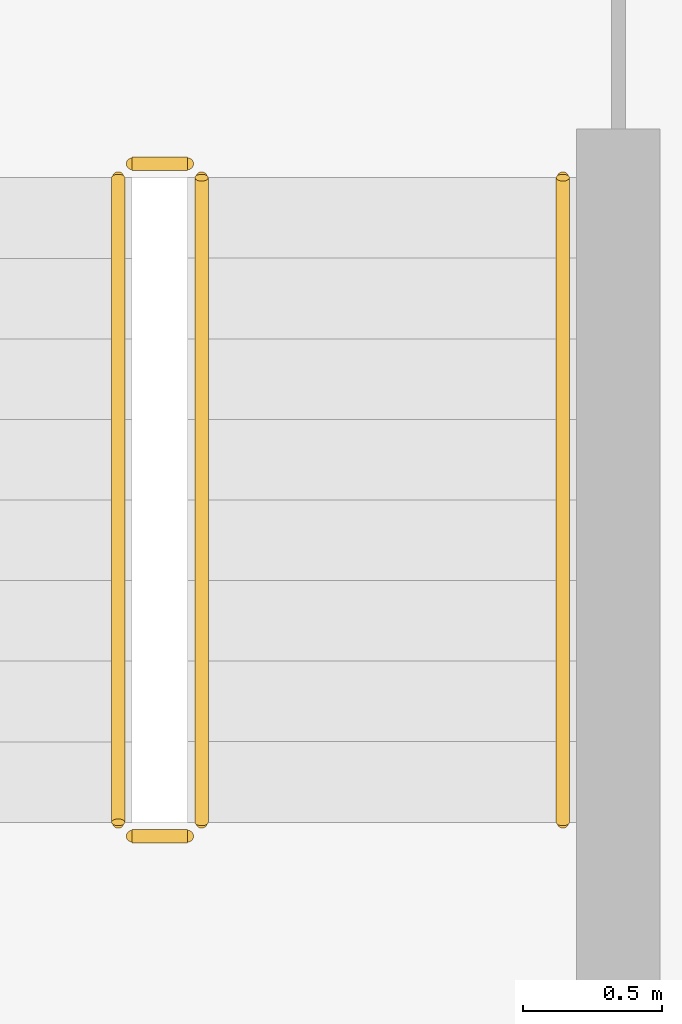
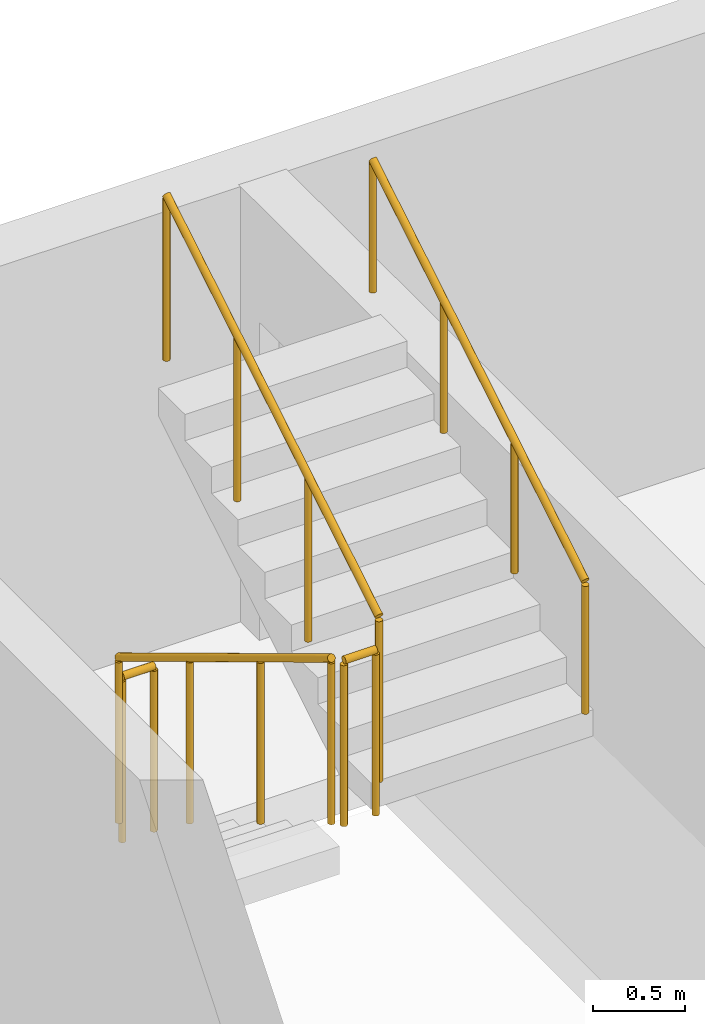
# One storey, part 33 of 35: 5 railings.
"""IFC4 building model written with IfcOpenShell, lengths in metres."""

import ifcopenshell
import ifcopenshell.guid

model = None  # the IFC model being written
_history = None  # IfcOwnerHistory: only IFC2X3 demands one
_inside = {}  # id of a spatial element -> (the spatial element, [elements in it])
_under = {}  # id of a project, library or spatial element -> (it, [spatial elements below it])
_declared = {}  # id of a project -> (the project, [libraries it declares])
_typed = {}  # id of a type object -> (the type object, [elements of that type])
_made_of = {}  # id of a material, layer set ... -> (it, [elements and type objects made of it])


def new_model(schema):
    """Start an empty IFC model of exactly this schema.

    Asked for "IFC4X3", IfcOpenShell would pick the latest addendum, in which some entities
    have other attributes; the version numbers below select the first issue.
    IFC2X3 requires an IfcOwnerHistory on every rooted entity: one is made here for all.
    """
    global model, _history
    if schema == "IFC4X3":
        model = ifcopenshell.file(schema_version=(4, 3, 0, 0))
    else:
        model = ifcopenshell.file(schema=schema)
    _inside.clear()
    _under.clear()
    _declared.clear()
    _typed.clear()
    _made_of.clear()
    _history = None
    if model.schema == "IFC2X3":
        org = make("IfcOrganization", Name="unknown")
        user = make(
            "IfcPersonAndOrganization",
            ThePerson=make("IfcPerson", FamilyName="unknown"),
            TheOrganization=org,
        )
        app = make(
            "IfcApplication",
            ApplicationDeveloper=org,
            Version="unknown",
            ApplicationFullName="unknown",
            ApplicationIdentifier="unknown",
        )
        _history = make(
            "IfcOwnerHistory",
            OwningUser=user,
            OwningApplication=app,
            ChangeAction="ADDED",
            CreationDate=0,
        )
    return model


def make(cls, **values):
    """One entity of the class cls with the attributes given. An attribute that is None is left unset."""
    return model.create_entity(
        cls, **{name: value for name, value in values.items() if value is not None}
    )


def rooted(cls, **values):
    """An entity with a GlobalId (a new one), such as an element, a storey or a relation."""
    return make(cls, GlobalId=ifcopenshell.guid.new(), OwnerHistory=_history, **values)


def si_unit(unit_type, name, prefix=None):
    """IfcSIUnit, for example si_unit("LENGTHUNIT", "METRE", prefix="MILLI")."""
    return make("IfcSIUnit", UnitType=unit_type, Prefix=prefix, Name=name)


def derived_unit(unit_type, elements):
    """IfcDerivedUnit: a product of units, each with its exponent."""
    return make(
        "IfcDerivedUnit",
        Elements=[
            make("IfcDerivedUnitElement", Unit=unit, Exponent=power)
            for unit, power in elements
        ],
        UnitType=unit_type,
    )


def assignment(units):
    """IfcUnitAssignment: the units of a project."""
    return None if units is None else make("IfcUnitAssignment", Units=units)


def point(xyz):
    """IfcCartesianPoint."""
    return None if xyz is None else make("IfcCartesianPoint", Coordinates=xyz)


def direction(xyz):
    """IfcDirection."""
    return None if xyz is None else make("IfcDirection", DirectionRatios=xyz)


def frame(location, z_axis=None, x_axis=None):
    """IfcAxis2Placement3D, a coordinate frame: its origin and axes. An axis left out is left unset."""
    return make(
        "IfcAxis2Placement3D",
        Location=point(location),
        Axis=direction(z_axis),
        RefDirection=direction(x_axis),
    )


def frame_2d(location, x_axis=None):
    """IfcAxis2Placement2D, a coordinate frame in the plane: its origin and x axis."""
    return make(
        "IfcAxis2Placement2D", Location=point(location), RefDirection=direction(x_axis)
    )


def origin():
    """The frame at (0, 0, 0) with its axes left unset."""
    return frame((0.0, 0.0, 0.0))


def origin_2d():
    """The frame at (0, 0) in the plane with its x axis left unset."""
    return frame_2d((0.0, 0.0))


def place(relative_to, where):
    """IfcLocalPlacement: puts the frame where relative to a parent placement (None: the world)."""
    return make(
        "IfcLocalPlacement", PlacementRelTo=relative_to, RelativePlacement=where
    )


def context(
    kind, dimensions, precision=None, world=None, true_north=None, identifier=None
):
    """IfcGeometricRepresentationContext, for example the 3D "Model" context."""
    return make(
        "IfcGeometricRepresentationContext",
        ContextIdentifier=identifier,
        ContextType=kind,
        CoordinateSpaceDimension=dimensions,
        Precision=precision,
        WorldCoordinateSystem=world,
        TrueNorth=true_north,
    )


def subcontext(parent, identifier, kind, view, scale=None):
    """IfcGeometricRepresentationSubContext, for example "Body" below "Model"."""
    return make(
        "IfcGeometricRepresentationSubContext",
        ContextIdentifier=identifier,
        ContextType=kind,
        ParentContext=parent,
        TargetScale=scale,
        TargetView=view,
    )


def project(units=None, contexts=None):
    """IfcProject with its units and contexts."""
    return rooted(
        "IfcProject",
        Name="project",
        RepresentationContexts=contexts,
        UnitsInContext=assignment(units),
    )


def spatial(cls, under=None, at=None, **own):
    """A site, building, storey or space (cls), placed at a placement, below another one or the project."""
    s = rooted(cls, ObjectPlacement=at, **own)
    if under is not None:
        _under.setdefault(under.id(), (under, []))[1].append(s)
    return s


def profile(cls, at=None, kind="AREA", **sizes):
    """A parametric profile (cls). Its sizes go by their IFC names, for example OverallWidth=200.0."""
    return make(cls, ProfileType=kind, Position=at, **sizes)


def circle(**sizes):
    """IfcCircleProfileDef."""
    return profile("IfcCircleProfileDef", **sizes)


def extrude(swept, where, along, depth):
    """IfcExtrudedAreaSolid: the profile swept, set in the frame where, extruded along a direction by depth."""
    return make(
        "IfcExtrudedAreaSolid",
        SweptArea=swept,
        Position=where,
        ExtrudedDirection=direction(along),
        Depth=depth,
    )


def shape(context_of_items, identifier, shape_type, items):
    """IfcShapeRepresentation: the items that make up one representation, for example the "Body"."""
    return make(
        "IfcShapeRepresentation",
        ContextOfItems=context_of_items,
        RepresentationIdentifier=identifier,
        RepresentationType=shape_type,
        Items=items,
    )


def material(Name=None, Category=None):
    """IfcMaterial."""
    return make("IfcMaterial", Name=Name, Category=Category)


def made_of(thing, what):
    """Note that an element or type object is made of a material, layer set ...; save() writes the relation."""
    if what is not None:
        _made_of.setdefault(what.id(), (what, []))[1].append(thing)
    return thing


def type_object(cls, material=None, **own):
    """A type object (cls), such as IfcWallType, which elements share."""
    return made_of(rooted(cls, **own), material)


def element(
    cls,
    number,
    at=None,
    inside=None,
    cuts=None,
    type_object=None,
    material=None,
    context=None,
    identifier="Body",
    shape_type=None,
    held_by="IfcProductDefinitionShape",
    body=None,
    shapes=None,
    **own,
):
    """One element of the class cls, such as IfcWall. Its Tag is "e" and its number.

    at: its placement. inside: the storey or other place that contains it. cuts: it is an
    opening in that element (IfcRelVoidsElement). A single representation is given by context,
    identifier, shape_type and body (its items); several are given by shapes. held_by: the class
    of the entity that holds the representations. save() writes the other relations.
    """
    e = rooted(cls, Tag="e%d" % number, ObjectPlacement=at, **own)
    if body is not None:
        shapes = [shape(context, identifier, shape_type, body)]
    if shapes is not None:
        e.Representation = make(held_by, Representations=shapes)
    if inside is not None:
        _inside.setdefault(inside.id(), (inside, []))[1].append(e)
    if cuts is not None:
        rooted(
            "IfcRelVoidsElement", RelatingBuildingElement=cuts, RelatedOpeningElement=e
        )
    if type_object is not None:
        _typed.setdefault(type_object.id(), (type_object, []))[1].append(e)
    return made_of(e, material)


def aggregate(whole, parts):
    """IfcRelAggregates: a whole, such as a stair, and the parts it consists of."""
    return rooted("IfcRelAggregates", RelatingObject=whole, RelatedObjects=parts)


def save(model, path):
    """Write the relations noted so far, then the file.

    IfcRelAggregates (storeys below a building ...), IfcRelContainedInSpatialStructure (elements
    in a storey), IfcRelDefinesByType, IfcRelAssociatesMaterial and IfcRelDeclares: one each for
    every whole, place, type object, material and project.
    """
    for whole, parts in _under.values():
        aggregate(whole, parts)
    for where, things in _inside.values():
        rooted(
            "IfcRelContainedInSpatialStructure",
            RelatedElements=things,
            RelatingStructure=where,
        )
    for kind, things in _typed.values():
        rooted("IfcRelDefinesByType", RelatedObjects=things, RelatingType=kind)
    for what, things in _made_of.values():
        rooted("IfcRelAssociatesMaterial", RelatedObjects=things, RelatingMaterial=what)
    for by, libraries in _declared.values():
        rooted("IfcRelDeclares", RelatingContext=by, RelatedDefinitions=libraries)
    model.write(path)


model = new_model("IFC4")

# Units and contexts
model_context = context("Model", 3, precision=1e-05, world=origin(), true_north=direction((0.0, 1.0)))
body_context = subcontext(model_context, "Body", "Model", "MODEL_VIEW")
ifc_project = project(units=[si_unit("LENGTHUNIT", "METRE"), si_unit("AREAUNIT", "SQUARE_METRE"), si_unit("VOLUMEUNIT", "CUBIC_METRE"), si_unit("PLANEANGLEUNIT", "RADIAN"), si_unit("MASSUNIT", "GRAM", prefix="KILO"), derived_unit("THERMALTRANSMITTANCEUNIT", [(si_unit("MASSUNIT", "GRAM", prefix="KILO"), 1), (si_unit("TIMEUNIT", "SECOND"), -3), (si_unit("THERMODYNAMICTEMPERATUREUNIT", "KELVIN"), -1)])], contexts=[model_context])

# Site, building, storey
site_placement = place(None, origin())
site = spatial("IfcSite", under=ifc_project, at=site_placement, CompositionType="ELEMENT")
building_placement = place(site_placement, origin())
building = spatial("IfcBuilding", under=site, at=building_placement, Name="Ochrekiln Boulevard Commons", CompositionType="ELEMENT")
storey_placement = place(building_placement, frame((0.0, 0.0, 30.97509765625)))
storey = spatial("IfcBuildingStorey", under=building, at=storey_placement, Name="L09", CompositionType="ELEMENT", Elevation=30.97509765625)

# Railings
ifc_material = material(Name="Brushed stainless steel 316 tubular railing", Category="steel")
railing_type_1 = type_object("IfcRailingType", Name="RLG-HDR-900", PredefinedType="HANDRAIL", material=ifc_material)
railing_1_placement = place(storey_placement, frame((160.550048828125, 114.610107421875, 1.75)))
element("IfcRailing", 1, at=railing_1_placement, inside=storey, type_object=railing_type_1, Name="L09 ST-B2 stair handrail 2", PredefinedType="HANDRAIL", context=body_context, shape_type="SweptSolid", body=[
    extrude(circle(Radius=0.02392578125, at=origin_2d()), frame((0.0, 0.0, 0.8759765625), z_axis=(0.0, 0.856186286599, 0.516667245565), x_axis=(-1.0, 0.0, 0.0)), (0.0, 0.0, 1.0), 2.70947265625),
    extrude(circle(Radius=0.02099609375, at=origin_2d()), origin(), (0.0, 0.0, 1.0), 0.851806640625),
    extrude(circle(Radius=0.02099609375, at=origin_2d()), frame((0.0, 0.773193359375, 0.466552734375)), (0.0, 0.0, 1.0), 0.851806640625),
    extrude(circle(Radius=0.02099609375, at=origin_2d()), frame((0.0, 1.546630859375, 0.933349609375)), (0.0, 0.0, 1.0), 0.851806640625),
    extrude(circle(Radius=0.02099609375, at=origin_2d()), frame((0.0, 2.31982421875, 1.39990234375)), (0.0, 0.0, 1.0), 0.851806640625),
])
railing_type_2 = type_object("IfcRailingType", Name="RLG-STR-1120", PredefinedType="BALUSTRADE", material=ifc_material)
railing_2_placement = place(storey_placement, frame((158.949951171875, 116.929931640625, 0.1748046875)))
element("IfcRailing", 2, at=railing_2_placement, inside=storey, type_object=railing_type_2, Name="L09 ST-B2 stair guard 1", PredefinedType="BALUSTRADE", context=body_context, shape_type="SweptSolid", body=[
    extrude(circle(Radius=0.02392578125, at=origin_2d()), frame((0.0, 0.0, 1.09619140625), z_axis=(0.0, -0.856146426353, 0.516733293531), x_axis=(1.0, 0.0, 0.0)), (0.0, 0.0, 1.0), 2.709716796875),
    extrude(circle(Radius=0.02099609375, at=origin_2d()), origin(), (0.0, 0.0, 1.0), 1.072021484375),
    extrude(circle(Radius=0.02099609375, at=origin_2d()), frame((0.0, -0.773193359375, 0.466796875)), (0.0, 0.0, 1.0), 1.072021484375),
    extrude(circle(Radius=0.02099609375, at=origin_2d()), frame((0.0, -1.546630859375, 0.933349609375)), (0.0, 0.0, 1.0), 1.072021484375),
    extrude(circle(Radius=0.02099609375, at=origin_2d()), frame((0.0, -2.31982421875, 1.400146484375)), (0.0, 0.0, 1.0), 1.072021484375),
])
railing_3_placement = place(storey_placement, frame((159.0, 114.56005859375, 1.574951171875)))
element("IfcRailing", 3, at=railing_3_placement, inside=storey, type_object=railing_type_2, Name="L09 ST-B2 stair guard 2", PredefinedType="BALUSTRADE", context=body_context, shape_type="SweptSolid", body=[
    extrude(circle(Radius=0.02392578125, at=origin_2d()), frame((0.0, 0.0, 1.09619140625), z_axis=(1.0, 0.0, 0.0), x_axis=(0.0, 1.0, 0.0)), (0.0, 0.0, 1.0), 0.199951171875),
    extrude(circle(Radius=0.02099609375, at=origin_2d()), origin(), (0.0, 0.0, 1.0), 1.072021484375),
    extrude(circle(Radius=0.02099609375, at=origin_2d()), frame((0.199951171875, 0.0, 0.0)), (0.0, 0.0, 1.0), 1.072021484375),
])
railing_4_placement = place(storey_placement, frame((159.25, 114.610107421875, 1.75)))
element("IfcRailing", 4, at=railing_4_placement, inside=storey, type_object=railing_type_2, Name="L09 ST-B2 stair guard 3", PredefinedType="BALUSTRADE", context=body_context, shape_type="SweptSolid", body=[
    extrude(circle(Radius=0.02392578125, at=origin_2d()), frame((0.0, 0.0, 1.09619140625), z_axis=(0.0, 0.856186286599, 0.516667245565), x_axis=(-1.0, 0.0, 0.0)), (0.0, 0.0, 1.0), 2.70947265625),
    extrude(circle(Radius=0.02099609375, at=origin_2d()), origin(), (0.0, 0.0, 1.0), 1.072021484375),
    extrude(circle(Radius=0.02099609375, at=origin_2d()), frame((0.0, 0.773193359375, 0.466552734375)), (0.0, 0.0, 1.0), 1.072021484375),
    extrude(circle(Radius=0.02099609375, at=origin_2d()), frame((0.0, 1.546630859375, 0.933349609375)), (0.0, 0.0, 1.0), 1.072021484375),
    extrude(circle(Radius=0.02099609375, at=origin_2d()), frame((0.0, 2.31982421875, 1.39990234375)), (0.0, 0.0, 1.0), 1.072021484375),
])
railing_5_placement = place(storey_placement, frame((159.0, 116.97998046875, 0.0)))
element("IfcRailing", 5, at=railing_5_placement, inside=storey, type_object=railing_type_2, Name="L09 ST-B2 stair guard 4", PredefinedType="BALUSTRADE", context=body_context, shape_type="SweptSolid", body=[
    extrude(circle(Radius=0.02392578125, at=origin_2d()), frame((0.0, 0.0, 1.09619140625), z_axis=(1.0, 0.0, 0.0), x_axis=(0.0, 1.0, 0.0)), (0.0, 0.0, 1.0), 0.199951171875),
    extrude(circle(Radius=0.02099609375, at=origin_2d()), origin(), (0.0, 0.0, 1.0), 1.072021484375),
    extrude(circle(Radius=0.02099609375, at=origin_2d()), frame((0.199951171875, 0.0, 0.0)), (0.0, 0.0, 1.0), 1.072021484375),
])

save(model, "model.ifc")
